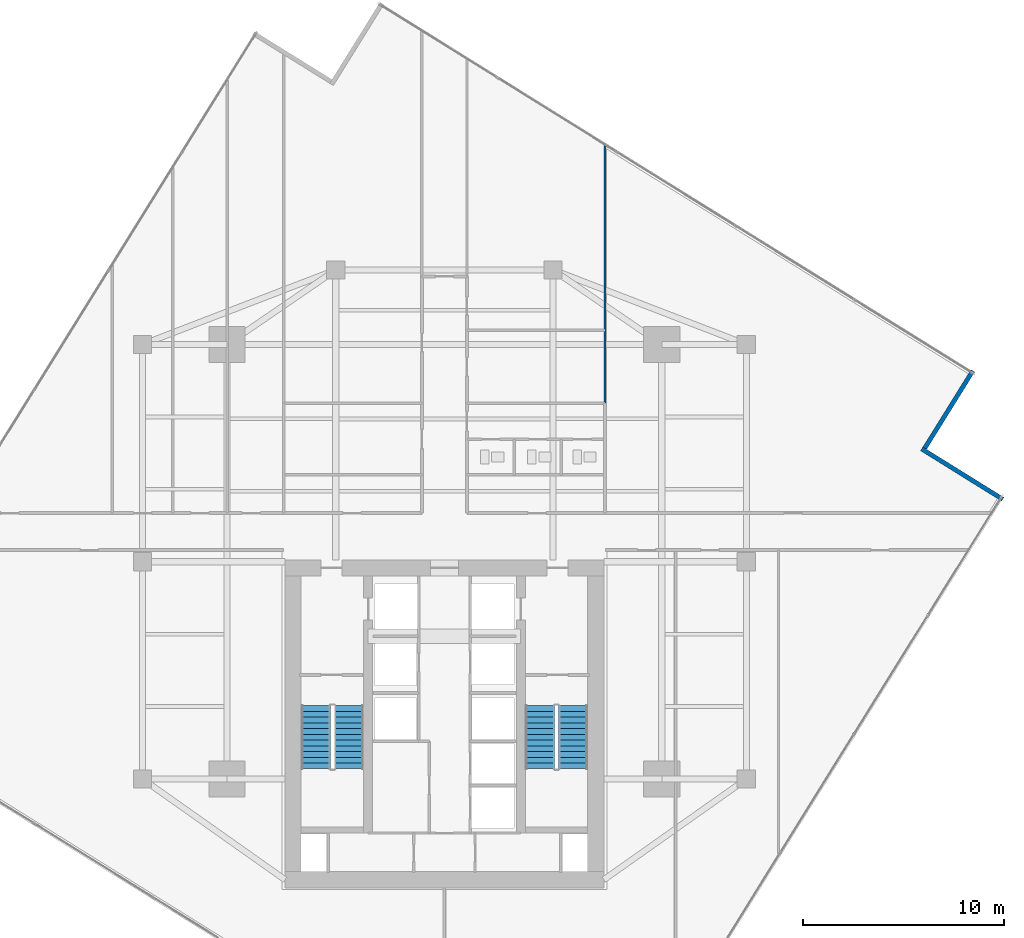
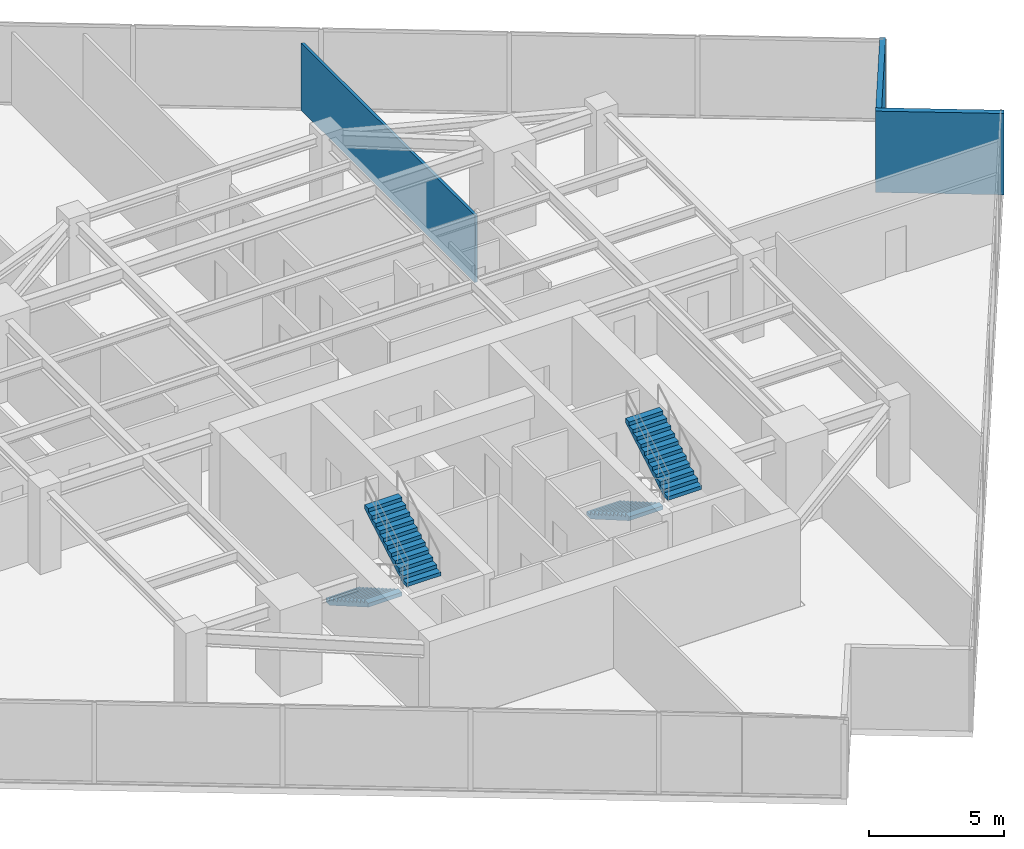
# One storey, part 23 of 26: 4 stair flights, 3 walls, 2 elements without a shape of their own.
"""IFC4 building model written with IfcOpenShell, lengths in metres."""

from ifc_helpers import new_model, si_unit, direction, frame, frame_2d, origin, place, context, subcontext, project, spatial, polyline, rectangle, outline, extrude, material, layer, layer_set, type_object, element, aggregate, save


model = new_model("IFC4")

# Units and contexts
model_context = context("Model", 3, precision=1e-05, world=origin(), true_north=direction((0.0, 1.0)))
body_context = subcontext(model_context, "Body", "Model", "MODEL_VIEW")
ifc_project = project(units=[si_unit("LENGTHUNIT", "METRE"), si_unit("AREAUNIT", "SQUARE_METRE"), si_unit("VOLUMEUNIT", "CUBIC_METRE"), si_unit("PLANEANGLEUNIT", "RADIAN"), si_unit("MASSUNIT", "GRAM", prefix="KILO")], contexts=[model_context])

# Site, building, storey
site_placement = place(None, origin())
site = spatial("IfcSite", under=ifc_project, at=site_placement, CompositionType="ELEMENT")
building_placement = place(site_placement, origin())
building = spatial("IfcBuilding", under=site, at=building_placement, Name="Krantzveldt Concourse Tower", CompositionType="ELEMENT")
storey_placement = place(building_placement, frame((0.0, 0.0, 173.85009765625)))
storey = spatial("IfcBuildingStorey", under=building, at=storey_placement, Name="L42", CompositionType="ELEMENT", Elevation=173.85009765625)

# Walls
ifc_material_1 = material(Name="Anodised aluminium 6063-T6", Category="aluminium")
ifc_layer_1 = layer(ifc_material_1, 0.219970703125, Name="Anodised aluminium 6063-T6", Category="aluminium")
ifc_layer_set_1 = layer_set([ifc_layer_1], Name="Anodised aluminium 6063-T6 (WL-EXT-NOTCH220)")
wall_type_1 = type_object("IfcWallType", Name="WL-EXT-NOTCH220", PredefinedType="ELEMENTEDWALL", material=ifc_layer_set_1)
wall_1_placement = place(storey_placement, frame((63.7490234375, 29.804931640625, 0.0), z_axis=(0.0, 0.0, 1.0), x_axis=(-0.84921299194, 0.528050465694, 0.0)))
element("IfcWall", 1, at=wall_1_placement, inside=storey, type_object=wall_type_1, Name="EW-L42-NCH08", PredefinedType="ELEMENTEDWALL", context=body_context, shape_type="SweptSolid", body=[
    extrude(rectangle(XDim=4.7451171875, YDim=0.219970703125, at=frame_2d((2.37255859375, 0.0))), origin(), (0.0, 0.0, 1.0), 3.669921875),
])
wall_2_placement = place(storey_placement, frame((59.87109375, 32.345947265625, 0.0), z_axis=(0.0, 0.0, 1.0), x_axis=(0.528062437074, 0.849205547881, 0.0)))
element("IfcWall", 2, at=wall_2_placement, inside=storey, type_object=wall_type_1, Name="EW-L42-NCH09", PredefinedType="ELEMENTEDWALL", context=body_context, shape_type="SweptSolid", body=[
    extrude(rectangle(XDim=4.52490234375, YDim=0.219970703125, at=frame_2d((2.262451171875, 0.0))), origin(), (0.0, 0.0, 1.0), 3.669921875),
])
ifc_material_2 = material(Name="Fire-rated gypsum plasterboard on steel stud", Category="steel")
ifc_layer_2 = layer(ifc_material_2, 0.1201171875, Name="Fire-rated gypsum plasterboard on steel stud", Category="steel")
ifc_layer_set_2 = layer_set([ifc_layer_2], Name="Fire-rated gypsum plasterboard on steel stud (WL-PART-120)")
wall_type_2 = type_object("IfcWallType", Name="WL-PART-120", PredefinedType="PARTITIONING", material=ifc_layer_set_2)
wall_3_placement = place(storey_placement, frame((43.97998046875, 34.580078125, 0.0), z_axis=(0.0, 0.0, 1.0), x_axis=(0.0, 1.0, 0.0)))
element("IfcWall", 3, at=wall_3_placement, inside=storey, type_object=wall_type_2, Name="WP-L42-ISER2", PredefinedType="PARTITIONING", context=body_context, shape_type="SweptSolid", body=[
    extrude(rectangle(XDim=12.840576171875, YDim=0.1201171875, at=frame_2d((6.42041015625, 0.0))), origin(), (0.0, 0.0, 1.0), 3.02978515625),
])

# Stair, stair flights
ifc_material_3 = material(Name="Precast concrete C40/50", Category="concrete")
stair_type = type_object("IfcStairType", Name="STR-CORE-DOGLEG", PredefinedType="HALF_TURN_STAIR", material=ifc_material_3)
stair_1_placement = place(storey_placement, origin())
stair_1 = element("IfcStair", 4, at=stair_1_placement, inside=storey, type_object=stair_type, Name="L42 Protected Escape Stair ST-1", PredefinedType="HALF_TURN_STAIR")
stair_flight_type = type_object("IfcStairFlightType", Name="STF-CORE-1450", PredefinedType="STRAIGHT", material=ifc_material_3)
stair_flight_1_placement = place(storey_placement, frame((29.60498046875, 19.550048828125, 0.0), z_axis=(0.0, 0.0, 1.0), x_axis=(0.0, -1.0, 0.0)))
stair_flight_1 = element("IfcStairFlight", 5, at=stair_flight_1_placement, type_object=stair_flight_type, Name="ST-1 flight 1", NumberOfRisers=12, NumberOfTreads=11, PredefinedType="STRAIGHT", RiserHeight=0.164583333, TreadLength=0.285, context=body_context, shape_type="SweptSolid", body=[
    extrude(outline(polyline([(0.0, 0.0), (0.0, 0.16455078125), (0.284912109375, 0.16455078125), (0.284912109375, 0.3291015625), (0.570068359375, 0.3291015625), (0.570068359375, 0.49365234375), (0.85498046875, 0.49365234375), (0.85498046875, 0.658447265625), (1.139892578125, 0.658447265625), (1.139892578125, 0.822998046875), (1.425048828125, 0.822998046875), (1.425048828125, 0.987548828125), (1.7099609375, 0.987548828125), (1.7099609375, 1.152099609375), (1.9951171875, 1.152099609375), (1.9951171875, 1.316650390625), (2.280029296875, 1.316650390625), (2.280029296875, 1.481201171875), (2.56494140625, 1.481201171875), (2.56494140625, 1.645751953125), (2.85009765625, 1.645751953125), (2.85009765625, 1.810302734375), (3.135009765625, 1.810302734375), (3.135009765625, 1.97509765625), (3.135009765625, 1.63720703125), (0.2998046875, 0.0), (0.0, 0.0)])), frame((0.0, 0.72509765625, 0.0), z_axis=(0.0, -1.0, 0.0), x_axis=(1.0, 0.0, 0.0)), (0.0, 0.0, 1.0), 1.449951171875),
])
stair_flight_2_placement = place(storey_placement, frame((31.2548828125, 16.4150390625, 1.974853515625), z_axis=(0.0, 0.0, 1.0), x_axis=(0.0, 1.0, 0.0)))
stair_flight_2 = element("IfcStairFlight", 6, at=stair_flight_2_placement, type_object=stair_flight_type, Name="ST-1 flight 2", NumberOfRisers=12, NumberOfTreads=11, PredefinedType="STRAIGHT", RiserHeight=0.164583333, TreadLength=0.285, context=body_context, shape_type="SweptSolid", body=[
    extrude(outline(polyline([(0.0, 0.0), (0.0, 0.16455078125), (0.284912109375, 0.16455078125), (0.284912109375, 0.3291015625), (0.570068359375, 0.3291015625), (0.570068359375, 0.49365234375), (0.85498046875, 0.49365234375), (0.85498046875, 0.658447265625), (1.139892578125, 0.658447265625), (1.139892578125, 0.822998046875), (1.425048828125, 0.822998046875), (1.425048828125, 0.987548828125), (1.7099609375, 0.987548828125), (1.7099609375, 1.152099609375), (1.9951171875, 1.152099609375), (1.9951171875, 1.316650390625), (2.280029296875, 1.316650390625), (2.280029296875, 1.481201171875), (2.56494140625, 1.481201171875), (2.56494140625, 1.645751953125), (2.85009765625, 1.645751953125), (2.85009765625, 1.810302734375), (3.135009765625, 1.810302734375), (3.135009765625, 1.97509765625), (3.135009765625, 1.63720703125), (0.2998046875, 0.0), (0.0, 0.0)])), frame((0.0, 0.72509765625, 0.0), z_axis=(0.0, -1.0, 0.0), x_axis=(1.0, 0.0, 0.0)), (0.0, 0.0, 1.0), 1.449951171875),
])
aggregate(stair_1, [stair_flight_1, stair_flight_2])

stair_2_placement = place(storey_placement, origin())
stair_2 = element("IfcStair", 7, at=stair_2_placement, inside=storey, type_object=stair_type, Name="L42 Protected Escape Stair ST-2", PredefinedType="HALF_TURN_STAIR")
stair_flight_3_placement = place(storey_placement, frame((40.7451171875, 19.550048828125, 0.0), z_axis=(0.0, 0.0, 1.0), x_axis=(0.0, -1.0, 0.0)))
stair_flight_3 = element("IfcStairFlight", 8, at=stair_flight_3_placement, type_object=stair_flight_type, Name="ST-2 flight 1", NumberOfRisers=12, NumberOfTreads=11, PredefinedType="STRAIGHT", RiserHeight=0.164583333, TreadLength=0.285, context=body_context, shape_type="SweptSolid", body=[
    extrude(outline(polyline([(0.0, 0.0), (0.0, 0.16455078125), (0.284912109375, 0.16455078125), (0.284912109375, 0.3291015625), (0.570068359375, 0.3291015625), (0.570068359375, 0.49365234375), (0.85498046875, 0.49365234375), (0.85498046875, 0.658447265625), (1.139892578125, 0.658447265625), (1.139892578125, 0.822998046875), (1.425048828125, 0.822998046875), (1.425048828125, 0.987548828125), (1.7099609375, 0.987548828125), (1.7099609375, 1.152099609375), (1.9951171875, 1.152099609375), (1.9951171875, 1.316650390625), (2.280029296875, 1.316650390625), (2.280029296875, 1.481201171875), (2.56494140625, 1.481201171875), (2.56494140625, 1.645751953125), (2.85009765625, 1.645751953125), (2.85009765625, 1.810302734375), (3.135009765625, 1.810302734375), (3.135009765625, 1.97509765625), (3.135009765625, 1.63720703125), (0.2998046875, 0.0), (0.0, 0.0)])), frame((0.0, 0.72509765625, 0.0), z_axis=(0.0, -1.0, 0.0), x_axis=(1.0, 0.0, 0.0)), (0.0, 0.0, 1.0), 1.449951171875),
])
stair_flight_4_placement = place(storey_placement, frame((42.39501953125, 16.4150390625, 1.974853515625), z_axis=(0.0, 0.0, 1.0), x_axis=(0.0, 1.0, 0.0)))
stair_flight_4 = element("IfcStairFlight", 9, at=stair_flight_4_placement, type_object=stair_flight_type, Name="ST-2 flight 2", NumberOfRisers=12, NumberOfTreads=11, PredefinedType="STRAIGHT", RiserHeight=0.164583333, TreadLength=0.285, context=body_context, shape_type="SweptSolid", body=[
    extrude(outline(polyline([(0.0, 0.0), (0.0, 0.16455078125), (0.284912109375, 0.16455078125), (0.284912109375, 0.3291015625), (0.570068359375, 0.3291015625), (0.570068359375, 0.49365234375), (0.85498046875, 0.49365234375), (0.85498046875, 0.658447265625), (1.139892578125, 0.658447265625), (1.139892578125, 0.822998046875), (1.425048828125, 0.822998046875), (1.425048828125, 0.987548828125), (1.7099609375, 0.987548828125), (1.7099609375, 1.152099609375), (1.9951171875, 1.152099609375), (1.9951171875, 1.316650390625), (2.280029296875, 1.316650390625), (2.280029296875, 1.481201171875), (2.56494140625, 1.481201171875), (2.56494140625, 1.645751953125), (2.85009765625, 1.645751953125), (2.85009765625, 1.810302734375), (3.135009765625, 1.810302734375), (3.135009765625, 1.97509765625), (3.135009765625, 1.63720703125), (0.2998046875, 0.0), (0.0, 0.0)])), frame((0.0, 0.72509765625, 0.0), z_axis=(0.0, -1.0, 0.0), x_axis=(1.0, 0.0, 0.0)), (0.0, 0.0, 1.0), 1.449951171875),
])
aggregate(stair_2, [stair_flight_3, stair_flight_4])

save(model, "model.ifc")
